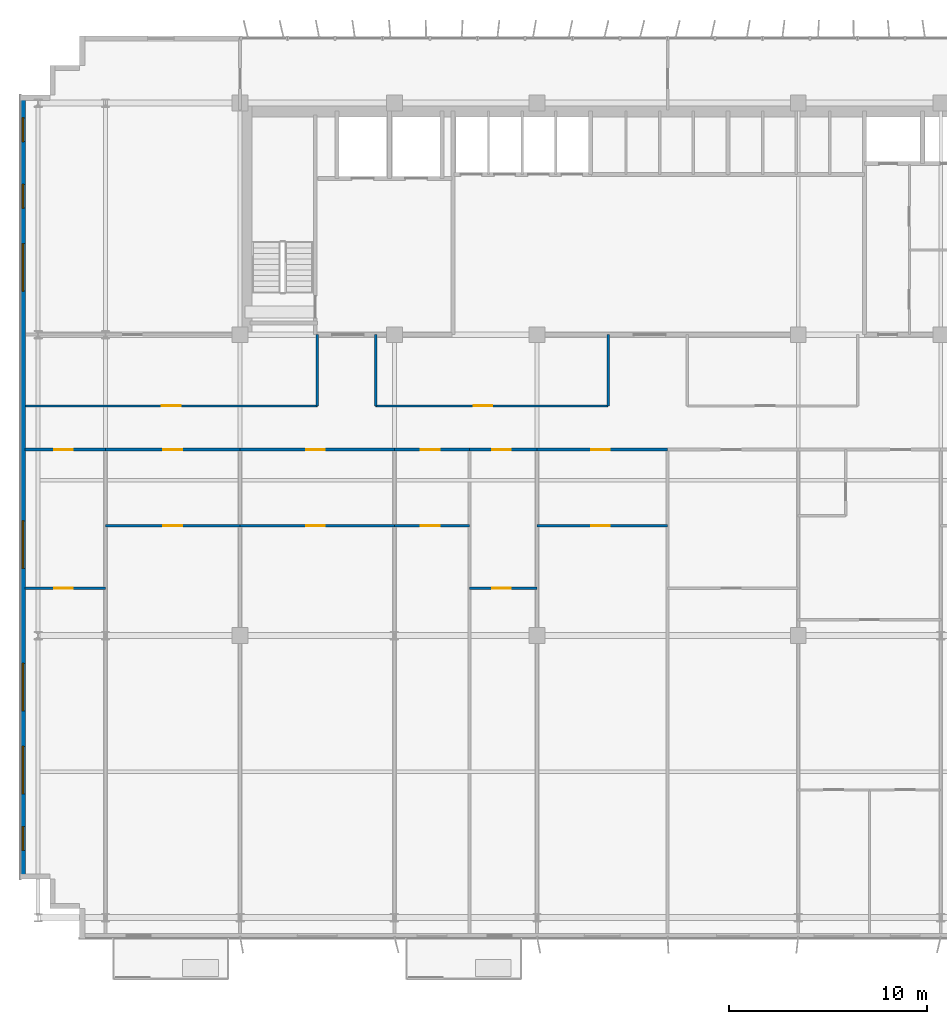
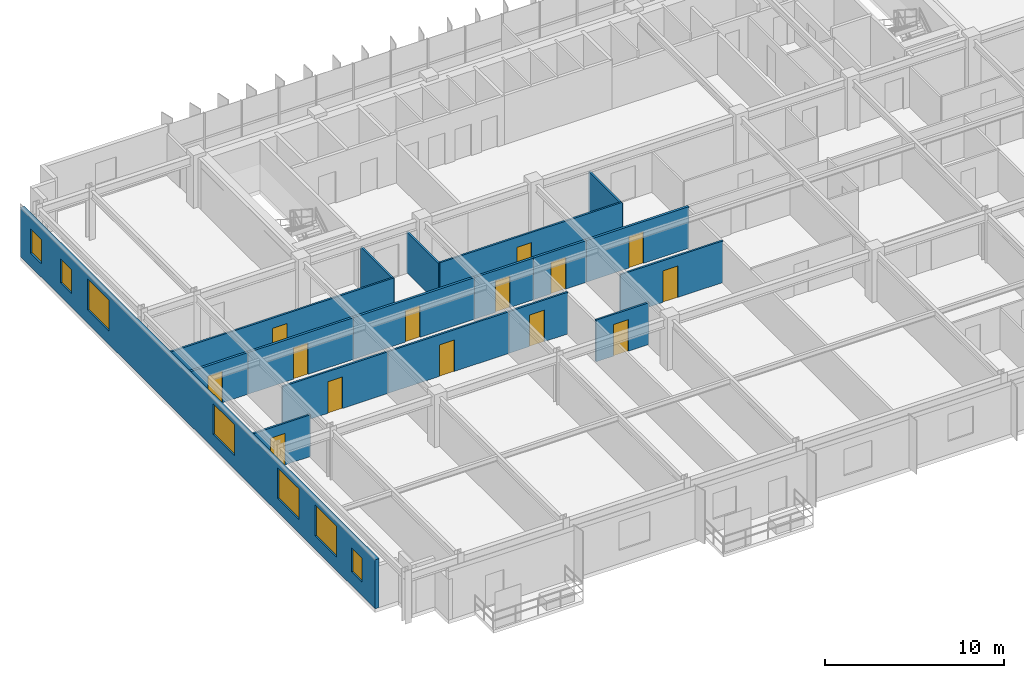
# One storey, part 14 of 21: 18 walls, 14 doors, 7 windows, 21 openings.
"""IFC4 building model written with IfcOpenShell, lengths in metres."""

import ifcopenshell
import ifcopenshell.guid

model = None  # the IFC model being written
_history = None  # IfcOwnerHistory: only IFC2X3 demands one
_inside = {}  # id of a spatial element -> (the spatial element, [elements in it])
_under = {}  # id of a project, library or spatial element -> (it, [spatial elements below it])
_declared = {}  # id of a project -> (the project, [libraries it declares])
_typed = {}  # id of a type object -> (the type object, [elements of that type])
_made_of = {}  # id of a material, layer set ... -> (it, [elements and type objects made of it])


def new_model(schema):
    """Start an empty IFC model of exactly this schema.

    Asked for "IFC4X3", IfcOpenShell would pick the latest addendum, in which some entities
    have other attributes; the version numbers below select the first issue.
    IFC2X3 requires an IfcOwnerHistory on every rooted entity: one is made here for all.
    """
    global model, _history
    if schema == "IFC4X3":
        model = ifcopenshell.file(schema_version=(4, 3, 0, 0))
    else:
        model = ifcopenshell.file(schema=schema)
    _inside.clear()
    _under.clear()
    _declared.clear()
    _typed.clear()
    _made_of.clear()
    _history = None
    if model.schema == "IFC2X3":
        org = make("IfcOrganization", Name="unknown")
        user = make(
            "IfcPersonAndOrganization",
            ThePerson=make("IfcPerson", FamilyName="unknown"),
            TheOrganization=org,
        )
        app = make(
            "IfcApplication",
            ApplicationDeveloper=org,
            Version="unknown",
            ApplicationFullName="unknown",
            ApplicationIdentifier="unknown",
        )
        _history = make(
            "IfcOwnerHistory",
            OwningUser=user,
            OwningApplication=app,
            ChangeAction="ADDED",
            CreationDate=0,
        )
    return model


def make(cls, **values):
    """One entity of the class cls with the attributes given. An attribute that is None is left unset."""
    return model.create_entity(
        cls, **{name: value for name, value in values.items() if value is not None}
    )


def rooted(cls, **values):
    """An entity with a GlobalId (a new one), such as an element, a storey or a relation."""
    return make(cls, GlobalId=ifcopenshell.guid.new(), OwnerHistory=_history, **values)


def si_unit(unit_type, name, prefix=None):
    """IfcSIUnit, for example si_unit("LENGTHUNIT", "METRE", prefix="MILLI")."""
    return make("IfcSIUnit", UnitType=unit_type, Prefix=prefix, Name=name)


def assignment(units):
    """IfcUnitAssignment: the units of a project."""
    return None if units is None else make("IfcUnitAssignment", Units=units)


def point(xyz):
    """IfcCartesianPoint."""
    return None if xyz is None else make("IfcCartesianPoint", Coordinates=xyz)


def direction(xyz):
    """IfcDirection."""
    return None if xyz is None else make("IfcDirection", DirectionRatios=xyz)


def frame(location, z_axis=None, x_axis=None):
    """IfcAxis2Placement3D, a coordinate frame: its origin and axes. An axis left out is left unset."""
    return make(
        "IfcAxis2Placement3D",
        Location=point(location),
        Axis=direction(z_axis),
        RefDirection=direction(x_axis),
    )


def frame_2d(location, x_axis=None):
    """IfcAxis2Placement2D, a coordinate frame in the plane: its origin and x axis."""
    return make(
        "IfcAxis2Placement2D", Location=point(location), RefDirection=direction(x_axis)
    )


def origin():
    """The frame at (0, 0, 0) with its axes left unset."""
    return frame((0.0, 0.0, 0.0))


def place(relative_to, where):
    """IfcLocalPlacement: puts the frame where relative to a parent placement (None: the world)."""
    return make(
        "IfcLocalPlacement", PlacementRelTo=relative_to, RelativePlacement=where
    )


def context(
    kind, dimensions, precision=None, world=None, true_north=None, identifier=None
):
    """IfcGeometricRepresentationContext, for example the 3D "Model" context."""
    return make(
        "IfcGeometricRepresentationContext",
        ContextIdentifier=identifier,
        ContextType=kind,
        CoordinateSpaceDimension=dimensions,
        Precision=precision,
        WorldCoordinateSystem=world,
        TrueNorth=true_north,
    )


def subcontext(parent, identifier, kind, view, scale=None):
    """IfcGeometricRepresentationSubContext, for example "Body" below "Model"."""
    return make(
        "IfcGeometricRepresentationSubContext",
        ContextIdentifier=identifier,
        ContextType=kind,
        ParentContext=parent,
        TargetScale=scale,
        TargetView=view,
    )


def project(units=None, contexts=None):
    """IfcProject with its units and contexts."""
    return rooted(
        "IfcProject",
        Name="project",
        RepresentationContexts=contexts,
        UnitsInContext=assignment(units),
    )


def spatial(cls, under=None, at=None, **own):
    """A site, building, storey or space (cls), placed at a placement, below another one or the project."""
    s = rooted(cls, ObjectPlacement=at, **own)
    if under is not None:
        _under.setdefault(under.id(), (under, []))[1].append(s)
    return s


def profile(cls, at=None, kind="AREA", **sizes):
    """A parametric profile (cls). Its sizes go by their IFC names, for example OverallWidth=200.0."""
    return make(cls, ProfileType=kind, Position=at, **sizes)


def rectangle(**sizes):
    """IfcRectangleProfileDef."""
    return profile("IfcRectangleProfileDef", **sizes)


def extrude(swept, where, along, depth):
    """IfcExtrudedAreaSolid: the profile swept, set in the frame where, extruded along a direction by depth."""
    return make(
        "IfcExtrudedAreaSolid",
        SweptArea=swept,
        Position=where,
        ExtrudedDirection=direction(along),
        Depth=depth,
    )


def shape(context_of_items, identifier, shape_type, items):
    """IfcShapeRepresentation: the items that make up one representation, for example the "Body"."""
    return make(
        "IfcShapeRepresentation",
        ContextOfItems=context_of_items,
        RepresentationIdentifier=identifier,
        RepresentationType=shape_type,
        Items=items,
    )


def source(mapping_origin, context_of_items, identifier, shape_type, items):
    """IfcRepresentationMap: a shape defined once, which mapped items show again and again."""
    return make(
        "IfcRepresentationMap",
        MappingOrigin=mapping_origin,
        MappedRepresentation=shape(context_of_items, identifier, shape_type, items),
    )


def transform(
    local_origin,
    x_axis=None,
    y_axis=None,
    z_axis=None,
    scale=None,
    scale2=None,
    scale3=None,
    uniform=True,
):
    """IfcCartesianTransformationOperator3D, or its non-uniform kind. x_axis, y_axis, z_axis: its Axis1, 2, 3."""
    if uniform:
        return make(
            "IfcCartesianTransformationOperator3D",
            Axis1=direction(x_axis),
            Axis2=direction(y_axis),
            LocalOrigin=point(local_origin),
            Scale=scale,
            Axis3=direction(z_axis),
        )
    return make(
        "IfcCartesianTransformationOperator3DnonUniform",
        Axis1=direction(x_axis),
        Axis2=direction(y_axis),
        LocalOrigin=point(local_origin),
        Scale=scale,
        Axis3=direction(z_axis),
        Scale2=scale2,
        Scale3=scale3,
    )


def mapped(mapping_source, mapping_target):
    """IfcMappedItem: shows the shape of a source again, moved by a transform."""
    return make(
        "IfcMappedItem", MappingSource=mapping_source, MappingTarget=mapping_target
    )


def material(Name=None, Category=None):
    """IfcMaterial."""
    return make("IfcMaterial", Name=Name, Category=Category)


def layer(
    of_material, thickness, ventilated=None, Name=None, Category=None, Priority=None
):
    """IfcMaterialLayer: one layer of a wall or slab, of a material (None: an air gap)."""
    return make(
        "IfcMaterialLayer",
        Material=of_material,
        LayerThickness=thickness,
        IsVentilated=ventilated,
        Name=Name,
        Category=Category,
        Priority=Priority,
    )


def layer_set(layers, Name=None):
    """IfcMaterialLayerSet."""
    return make("IfcMaterialLayerSet", MaterialLayers=layers, LayerSetName=Name)


def made_of(thing, what):
    """Note that an element or type object is made of a material, layer set ...; save() writes the relation."""
    if what is not None:
        _made_of.setdefault(what.id(), (what, []))[1].append(thing)
    return thing


def type_object(cls, material=None, **own):
    """A type object (cls), such as IfcWallType, which elements share."""
    return made_of(rooted(cls, **own), material)


def element(
    cls,
    number,
    at=None,
    inside=None,
    cuts=None,
    type_object=None,
    material=None,
    context=None,
    identifier="Body",
    shape_type=None,
    held_by="IfcProductDefinitionShape",
    body=None,
    shapes=None,
    **own,
):
    """One element of the class cls, such as IfcWall. Its Tag is "e" and its number.

    at: its placement. inside: the storey or other place that contains it. cuts: it is an
    opening in that element (IfcRelVoidsElement). A single representation is given by context,
    identifier, shape_type and body (its items); several are given by shapes. held_by: the class
    of the entity that holds the representations. save() writes the other relations.
    """
    e = rooted(cls, Tag="e%d" % number, ObjectPlacement=at, **own)
    if body is not None:
        shapes = [shape(context, identifier, shape_type, body)]
    if shapes is not None:
        e.Representation = make(held_by, Representations=shapes)
    if inside is not None:
        _inside.setdefault(inside.id(), (inside, []))[1].append(e)
    if cuts is not None:
        rooted(
            "IfcRelVoidsElement", RelatingBuildingElement=cuts, RelatedOpeningElement=e
        )
    if type_object is not None:
        _typed.setdefault(type_object.id(), (type_object, []))[1].append(e)
    return made_of(e, material)


def fill(opening, filler):
    """IfcRelFillsElement: the door or window that sits in an opening."""
    return rooted(
        "IfcRelFillsElement",
        RelatingOpeningElement=opening,
        RelatedBuildingElement=filler,
    )


def aggregate(whole, parts):
    """IfcRelAggregates: a whole, such as a stair, and the parts it consists of."""
    return rooted("IfcRelAggregates", RelatingObject=whole, RelatedObjects=parts)


def save(model, path):
    """Write the relations noted so far, then the file.

    IfcRelAggregates (storeys below a building ...), IfcRelContainedInSpatialStructure (elements
    in a storey), IfcRelDefinesByType, IfcRelAssociatesMaterial and IfcRelDeclares: one each for
    every whole, place, type object, material and project.
    """
    for whole, parts in _under.values():
        aggregate(whole, parts)
    for where, things in _inside.values():
        rooted(
            "IfcRelContainedInSpatialStructure",
            RelatedElements=things,
            RelatingStructure=where,
        )
    for kind, things in _typed.values():
        rooted("IfcRelDefinesByType", RelatedObjects=things, RelatingType=kind)
    for what, things in _made_of.values():
        rooted("IfcRelAssociatesMaterial", RelatedObjects=things, RelatingMaterial=what)
    for by, libraries in _declared.values():
        rooted("IfcRelDeclares", RelatingContext=by, RelatedDefinitions=libraries)
    model.write(path)


model = new_model("IFC4")

# Units and contexts
model_context = context("Model", 3, precision=1e-05, world=origin(), true_north=direction((0.0, 1.0)))
body_context = subcontext(model_context, "Body", "Model", "MODEL_VIEW")
ifc_project = project(units=[si_unit("LENGTHUNIT", "METRE"), si_unit("AREAUNIT", "SQUARE_METRE"), si_unit("VOLUMEUNIT", "CUBIC_METRE"), si_unit("PLANEANGLEUNIT", "RADIAN"), si_unit("MASSUNIT", "GRAM", prefix="KILO")], contexts=[model_context])

# Site, building, storey
site_placement = place(None, origin())
site = spatial("IfcSite", under=ifc_project, at=site_placement, CompositionType="ELEMENT")
building_placement = place(site_placement, origin())
building = spatial("IfcBuilding", under=site, at=building_placement, Name="Trelvane Seafront Commons", CompositionType="ELEMENT")
storey_placement = place(building_placement, frame((0.0, 0.0, 106.89990234375)))
storey = spatial("IfcBuildingStorey", under=building, at=storey_placement, Name="L27", CompositionType="ELEMENT", Elevation=106.89990234375)

# Wall, openings, windows
ifc_material_1 = material(Name="Precast concrete C40/50", Category="concrete")
ifc_layer_1 = layer(ifc_material_1, 0.260009765625, Name="ARCH-WALL-EXT260")
ifc_layer_set_1 = layer_set([ifc_layer_1], Name="Precast concrete C40/50")
wall_type_1 = type_object("IfcWallType", Name="ARCH-WALL-EXT260", PredefinedType="SOLIDWALL", material=ifc_layer_set_1)
wall_1_placement = place(storey_placement, frame((4.6298828125, 5.89990234375, 0.0), z_axis=(0.0, 0.0, 1.0), x_axis=(0.0, 1.0, 0.0)))
wall_1 = element("IfcWall", 1, at=wall_1_placement, inside=storey, type_object=wall_type_1, Name="EW-L27-00501", PredefinedType="SOLIDWALL", context=body_context, shape_type="SweptSolid", body=[
    extrude(rectangle(XDim=39.60009765625, YDim=0.260009765625, at=frame_2d((19.800048828125, 0.0))), origin(), (0.0, 0.0, 1.0), 3.340087890625),
])
opening_1_placement = place(wall_1_placement, frame((1.449951171875, 0.0, 0.919921875)))
opening_1 = element("IfcOpeningElement", 2, at=opening_1_placement, cuts=wall_1, Name="Opening W05", PredefinedType="OPENING", context=body_context, shape_type="SweptSolid", body=[
    extrude(rectangle(XDim=1.199951171875, YDim=1.64990234375, at=frame_2d((0.60009765625, 0.824951171875))), frame((0.0, 0.139892578125, 0.0), z_axis=(0.0, -1.0, 0.0), x_axis=(1.0, 0.0, 0.0)), (0.0, 0.0, 1.0), 0.280029296875),
])
opening_2_placement = place(wall_1_placement, frame((4.300048828125, 0.0, 0.919921875)))
opening_2 = element("IfcOpeningElement", 3, at=opening_2_placement, cuts=wall_1, Name="Opening W08", PredefinedType="OPENING", context=body_context, shape_type="SweptSolid", body=[
    extrude(rectangle(XDim=2.39990234375, YDim=2.10009765625, at=frame_2d((1.199951171875, 1.050048828125))), frame((0.0, 0.139892578125, 0.0), z_axis=(0.0, -1.0, 0.0), x_axis=(1.0, 0.0, 0.0)), (0.0, 0.0, 1.0), 0.280029296875),
])
opening_3_placement = place(wall_1_placement, frame((8.5, 0.0, 0.919921875)))
opening_3 = element("IfcOpeningElement", 4, at=opening_3_placement, cuts=wall_1, Name="Opening W08", PredefinedType="OPENING", context=body_context, shape_type="SweptSolid", body=[
    extrude(rectangle(XDim=2.39990234375, YDim=2.10009765625, at=frame_2d((1.199951171875, 1.050048828125))), frame((0.0, 0.139892578125, 0.0), z_axis=(0.0, -1.0, 0.0), x_axis=(1.0, 0.0, 0.0)), (0.0, 0.0, 1.0), 0.280029296875),
])
opening_4_placement = place(wall_1_placement, frame((15.699951171875, 0.0, 0.919921875)))
opening_4 = element("IfcOpeningElement", 5, at=opening_4_placement, cuts=wall_1, Name="Opening W08", PredefinedType="OPENING", context=body_context, shape_type="SweptSolid", body=[
    extrude(rectangle(XDim=2.39990234375, YDim=2.10009765625, at=frame_2d((1.199951171875, 1.050048828125))), frame((0.0, 0.139892578125, 0.0), z_axis=(0.0, -1.0, 0.0), x_axis=(1.0, 0.0, 0.0)), (0.0, 0.0, 1.0), 0.280029296875),
])
opening_5_placement = place(wall_1_placement, frame((29.699951171875, 0.0, 0.919921875)))
opening_5 = element("IfcOpeningElement", 6, at=opening_5_placement, cuts=wall_1, Name="Opening W08", PredefinedType="OPENING", context=body_context, shape_type="SweptSolid", body=[
    extrude(rectangle(XDim=2.39990234375, YDim=2.10009765625, at=frame_2d((1.199951171875, 1.050048828125))), frame((0.0, 0.139892578125, 0.0), z_axis=(0.0, -1.0, 0.0), x_axis=(1.0, 0.0, 0.0)), (0.0, 0.0, 1.0), 0.280029296875),
])
opening_6_placement = place(wall_1_placement, frame((33.89990234375, 0.0, 0.919921875)))
opening_6 = element("IfcOpeningElement", 7, at=opening_6_placement, cuts=wall_1, Name="Opening W05", PredefinedType="OPENING", context=body_context, shape_type="SweptSolid", body=[
    extrude(rectangle(XDim=1.199951171875, YDim=1.64990234375, at=frame_2d((0.60009765625, 0.824951171875))), frame((0.0, 0.139892578125, 0.0), z_axis=(0.0, -1.0, 0.0), x_axis=(1.0, 0.0, 0.0)), (0.0, 0.0, 1.0), 0.280029296875),
])
opening_7_placement = place(wall_1_placement, frame((37.25, 0.0, 0.919921875)))
opening_7 = element("IfcOpeningElement", 8, at=opening_7_placement, cuts=wall_1, Name="Opening W05", PredefinedType="OPENING", context=body_context, shape_type="SweptSolid", body=[
    extrude(rectangle(XDim=1.199951171875, YDim=1.64990234375, at=frame_2d((0.60009765625, 0.824951171875))), frame((0.0, 0.139892578125, 0.0), z_axis=(0.0, -1.0, 0.0), x_axis=(1.0, 0.0, 0.0)), (0.0, 0.0, 1.0), 0.280029296875),
])
ifc_material_2 = material(Name="Low-E coastal double glazing", Category="glass")
window_type_1 = type_object("IfcWindowType", Name="ARCH-WIN-W08", PartitioningType="SINGLE_PANEL", PredefinedType="WINDOW", material=ifc_material_2)
shared_shape_1 = source(origin(), body_context, "Body", "SweptSolid", [
    extrude(rectangle(XDim=2.39990234375, YDim=2.10009765625, at=frame_2d((1.199951171875, 1.050048828125))), frame((0.0, 0.030029296875, 0.0), z_axis=(0.0, -1.0, 0.0), x_axis=(1.0, 0.0, 0.0)), (0.0, 0.0, 1.0), 0.06005859375),
])
window_1_placement = place(opening_2_placement, origin())
window_1 = element("IfcWindow", 9, at=window_1_placement, inside=storey, type_object=window_type_1, Name="WIN-L27-EW-00588", OverallHeight=2.10009765625, OverallWidth=2.39990234375, PartitioningType="SINGLE_PANEL", PredefinedType="WINDOW", context=body_context, shape_type="MappedRepresentation", body=[
    mapped(shared_shape_1, transform((0.0, 0.0, 0.0), x_axis=(1.0, 0.0, 0.0), y_axis=(0.0, 1.0, 0.0), z_axis=(0.0, 0.0, 1.0), scale=1.0)),
])
fill(opening_2, window_1)
window_2_placement = place(opening_3_placement, origin())
window_2 = element("IfcWindow", 10, at=window_2_placement, inside=storey, type_object=window_type_1, Name="WIN-L27-EW-00589", OverallHeight=2.10009765625, OverallWidth=2.39990234375, PartitioningType="SINGLE_PANEL", PredefinedType="WINDOW", context=body_context, shape_type="MappedRepresentation", body=[
    mapped(shared_shape_1, transform((0.0, 0.0, 0.0), x_axis=(1.0, 0.0, 0.0), y_axis=(0.0, 1.0, 0.0), z_axis=(0.0, 0.0, 1.0), scale=1.0)),
])
fill(opening_3, window_2)
window_3_placement = place(opening_4_placement, origin())
window_3 = element("IfcWindow", 11, at=window_3_placement, inside=storey, type_object=window_type_1, Name="WIN-L27-EW-00590", OverallHeight=2.10009765625, OverallWidth=2.39990234375, PartitioningType="SINGLE_PANEL", PredefinedType="WINDOW", context=body_context, shape_type="MappedRepresentation", body=[
    mapped(shared_shape_1, transform((0.0, 0.0, 0.0), x_axis=(1.0, 0.0, 0.0), y_axis=(0.0, 1.0, 0.0), z_axis=(0.0, 0.0, 1.0), scale=1.0)),
])
fill(opening_4, window_3)
window_4_placement = place(opening_5_placement, origin())
window_4 = element("IfcWindow", 12, at=window_4_placement, inside=storey, type_object=window_type_1, Name="WIN-L27-EW-00591", OverallHeight=2.10009765625, OverallWidth=2.39990234375, PartitioningType="SINGLE_PANEL", PredefinedType="WINDOW", context=body_context, shape_type="MappedRepresentation", body=[
    mapped(shared_shape_1, transform((0.0, 0.0, 0.0), x_axis=(1.0, 0.0, 0.0), y_axis=(0.0, 1.0, 0.0), z_axis=(0.0, 0.0, 1.0), scale=1.0)),
])
fill(opening_5, window_4)
window_type_2 = type_object("IfcWindowType", Name="ARCH-WIN-W05", PartitioningType="SINGLE_PANEL", PredefinedType="WINDOW", material=ifc_material_2)
shared_shape_2 = source(origin(), body_context, "Body", "SweptSolid", [
    extrude(rectangle(XDim=1.199951171875, YDim=1.64990234375, at=frame_2d((0.60009765625, 0.824951171875))), frame((0.0, 0.030029296875, 0.0), z_axis=(0.0, -1.0, 0.0), x_axis=(1.0, 0.0, 0.0)), (0.0, 0.0, 1.0), 0.06005859375),
])
window_5_placement = place(opening_1_placement, origin())
window_5 = element("IfcWindow", 13, at=window_5_placement, inside=storey, type_object=window_type_2, Name="WIN-L27-EW-00587", OverallHeight=1.64990234375, OverallWidth=1.199951171875, PartitioningType="SINGLE_PANEL", PredefinedType="WINDOW", context=body_context, shape_type="MappedRepresentation", body=[
    mapped(shared_shape_2, transform((0.0, 0.0, 0.0), x_axis=(1.0, 0.0, 0.0), y_axis=(0.0, 1.0, 0.0), z_axis=(0.0, 0.0, 1.0), scale=1.0)),
])
fill(opening_1, window_5)
window_6_placement = place(opening_6_placement, origin())
window_6 = element("IfcWindow", 14, at=window_6_placement, inside=storey, type_object=window_type_2, Name="WIN-L27-EW-00592", OverallHeight=1.64990234375, OverallWidth=1.199951171875, PartitioningType="SINGLE_PANEL", PredefinedType="WINDOW", context=body_context, shape_type="MappedRepresentation", body=[
    mapped(shared_shape_2, transform((0.0, 0.0, 0.0), x_axis=(1.0, 0.0, 0.0), y_axis=(0.0, 1.0, 0.0), z_axis=(0.0, 0.0, 1.0), scale=1.0)),
])
fill(opening_6, window_6)
window_7_placement = place(opening_7_placement, origin())
window_7 = element("IfcWindow", 15, at=window_7_placement, inside=storey, type_object=window_type_2, Name="WIN-L27-EW-00593", OverallHeight=1.64990234375, OverallWidth=1.199951171875, PartitioningType="SINGLE_PANEL", PredefinedType="WINDOW", context=body_context, shape_type="MappedRepresentation", body=[
    mapped(shared_shape_2, transform((0.0, 0.0, 0.0), x_axis=(1.0, 0.0, 0.0), y_axis=(0.0, 1.0, 0.0), z_axis=(0.0, 0.0, 1.0), scale=1.0)),
])
fill(opening_7, window_7)

# Wall, opening, door
ifc_material_3 = material(Name="Gypsum Drywall Acoustic Partition")
ifc_layer_2 = layer(ifc_material_3, 0.1201171875, Name="ARCH-WALL-PART120")
ifc_layer_set_2 = layer_set([ifc_layer_2], Name="Gypsum Drywall Acoustic Partition")
wall_type_2 = type_object("IfcWallType", Name="ARCH-WALL-PART120", PredefinedType="PARTITIONING", material=ifc_layer_set_2)
wall_2_placement = place(storey_placement, frame((4.75, 29.800048828125, 0.0), z_axis=(0.0, 0.0, 1.0), x_axis=(1.0, 0.0, 0.0)))
wall_2 = element("IfcWall", 16, at=wall_2_placement, inside=storey, type_object=wall_type_2, Name="W-L27-CORR-N-W-038", PredefinedType="PARTITIONING", context=body_context, shape_type="SweptSolid", body=[
    extrude(rectangle(XDim=14.75, YDim=0.1201171875, at=frame_2d((7.375, 0.0))), origin(), (0.0, 0.0, 1.0), 2.840087890625),
])
opening_8_placement = place(wall_2_placement, frame((6.89990234375, 0.0, 0.0)))
opening_8 = element("IfcOpeningElement", 17, at=opening_8_placement, cuts=wall_2, Name="Opening D-L27-18", PredefinedType="OPENING", context=body_context, shape_type="SweptSolid", body=[
    extrude(rectangle(XDim=0.949951171875, YDim=2.14990234375, at=frame_2d((0.47509765625, 1.074951171875))), frame((0.0, 0.070068359375, 0.0), z_axis=(0.0, -1.0, 0.0), x_axis=(1.0, 0.0, 0.0)), (0.0, 0.0, 1.0), 0.14013671875),
])
ifc_material_4 = material(Name="Acoustic timber door leaf", Category="wood")
door_type_1 = type_object("IfcDoorType", Name="ARCH-DR-INT950", OperationType="NOTDEFINED", PredefinedType="DOOR", material=ifc_material_4)
shared_shape_3 = source(origin(), body_context, "Body", "SweptSolid", [
    extrude(rectangle(XDim=0.949951171875, YDim=2.14990234375, at=frame_2d((0.47509765625, 1.074951171875))), frame((0.0, 0.02490234375, 0.0), z_axis=(0.0, -1.0, 0.0), x_axis=(1.0, 0.0, 0.0)), (0.0, 0.0, 1.0), 0.050048828125),
])
door_1_placement = place(opening_8_placement, origin())
door_1 = element("IfcDoor", 18, at=door_1_placement, inside=storey, type_object=door_type_1, Name="L27 Door 18", OperationType="SINGLE_SWING_RIGHT", OverallHeight=2.14990234375, OverallWidth=0.949951171875, PredefinedType="DOOR", context=body_context, shape_type="MappedRepresentation", body=[
    mapped(shared_shape_3, transform((0.0, 0.0, 0.0), x_axis=(1.0, 0.0, 0.0), y_axis=(0.0, 1.0, 0.0), z_axis=(0.0, 0.0, 1.0), scale=1.0)),
])
fill(opening_8, door_1)

wall_3_placement = place(storey_placement, frame((22.449951171875, 29.800048828125, 0.0), z_axis=(0.0, 0.0, 1.0), x_axis=(1.0, 0.0, 0.0)))
wall_3 = element("IfcWall", 19, at=wall_3_placement, inside=storey, type_object=wall_type_2, Name="W-L27-CORR-N-M1-039", PredefinedType="PARTITIONING", context=body_context, shape_type="SweptSolid", body=[
    extrude(rectangle(XDim=11.75, YDim=0.1201171875, at=frame_2d((5.875, 0.0))), origin(), (0.0, 0.0, 1.0), 2.840087890625),
])
opening_9_placement = place(wall_3_placement, frame((4.944091796875, 0.0, 0.0)))
opening_9 = element("IfcOpeningElement", 20, at=opening_9_placement, cuts=wall_3, Name="Opening D-L27-19", PredefinedType="OPENING", context=body_context, shape_type="SweptSolid", body=[
    extrude(rectangle(XDim=0.949951171875, YDim=2.14990234375, at=frame_2d((0.47509765625, 1.074951171875))), frame((0.0, 0.070068359375, 0.0), z_axis=(0.0, -1.0, 0.0), x_axis=(1.0, 0.0, 0.0)), (0.0, 0.0, 1.0), 0.14013671875),
])
door_2_placement = place(opening_9_placement, origin())
door_2 = element("IfcDoor", 21, at=door_2_placement, inside=storey, type_object=door_type_1, Name="L27 Door 19", OperationType="SINGLE_SWING_LEFT", OverallHeight=2.14990234375, OverallWidth=0.949951171875, PredefinedType="DOOR", context=body_context, shape_type="MappedRepresentation", body=[
    mapped(shared_shape_3, transform((0.0, 0.0, 0.0), x_axis=(1.0, 0.0, 0.0), y_axis=(0.0, 1.0, 0.0), z_axis=(0.0, 0.0, 1.0), scale=1.0)),
])
fill(opening_9, door_2)

# Walls
for number, where, z_axis, x_axis, name in (
    (22, (19.5, 29.800048828125, 0.0), (0.0, 0.0, 1.0), (0.0, 1.0, 0.0), "W-L27-N-SPUR-W1-043"),
    (23, (22.449951171875, 29.800048828125, 0.0), (0.0, 0.0, 1.0), (0.0, 1.0, 0.0), "W-L27-N-SPUR-W2-044"),
    (24, (34.199951171875, 29.800048828125, 0.0), (0.0, 0.0, 1.0), (0.0, 1.0, 0.0), "W-L27-N-SPUR-M1-045"),
):
    element("IfcWall", number, at=place(storey_placement, frame(where, z_axis=z_axis, x_axis=x_axis)), inside=storey, type_object=wall_type_2, Name=name, PredefinedType="PARTITIONING", context=body_context, shape_type="SweptSolid", body=[
        extrude(rectangle(XDim=3.599853515625, YDim=0.1201171875, at=frame_2d((1.7998046875, 0.0))), origin(), (0.0, 0.0, 1.0), 2.752197265625),
    ])

# Wall, opening, door
wall_4_placement = place(storey_placement, frame((4.7451171875, 20.60009765625, 0.0), z_axis=(0.0, 0.0, 1.0), x_axis=(1.0, 0.0, 0.0)))
wall_4 = element("IfcWall", 25, at=wall_4_placement, inside=storey, type_object=wall_type_2, Name="W-L27-U1-DIV-066", PredefinedType="PARTITIONING", context=body_context, shape_type="SweptSolid", body=[
    extrude(rectangle(XDim=4.054931640625, YDim=0.1201171875, at=frame_2d((2.02734375, 0.0))), origin(), (0.0, 0.0, 1.0), 2.840087890625),
])
opening_10_placement = place(wall_4_placement, frame((1.4619140625, 0.0, 0.0)))
opening_10 = element("IfcOpeningElement", 26, at=opening_10_placement, cuts=wall_4, Name="Opening D-L27-29", PredefinedType="OPENING", context=body_context, shape_type="SweptSolid", body=[
    extrude(rectangle(XDim=0.949951171875, YDim=2.14990234375, at=frame_2d((0.47509765625, 1.074951171875))), frame((0.0, 0.070068359375, 0.0), z_axis=(0.0, -1.0, 0.0), x_axis=(1.0, 0.0, 0.0)), (0.0, 0.0, 1.0), 0.14013671875),
])
door_3_placement = place(opening_10_placement, origin())
door_3 = element("IfcDoor", 27, at=door_3_placement, inside=storey, type_object=door_type_1, Name="L27 Door 29", OperationType="SINGLE_SWING_LEFT", OverallHeight=2.14990234375, OverallWidth=0.949951171875, PredefinedType="DOOR", context=body_context, shape_type="MappedRepresentation", body=[
    mapped(shared_shape_3, transform((0.0, 0.0, 0.0), x_axis=(1.0, 0.0, 0.0), y_axis=(0.0, 1.0, 0.0), z_axis=(0.0, 0.0, 1.0), scale=1.0)),
])
fill(opening_10, door_3)

wall_5_placement = place(storey_placement, frame((8.800048828125, 23.75, 0.0), z_axis=(0.0, 0.0, 1.0), x_axis=(1.0, 0.0, 0.0)))
wall_5 = element("IfcWall", 28, at=wall_5_placement, inside=storey, type_object=wall_type_2, Name="W-L27-U2-DIV-068", PredefinedType="PARTITIONING", context=body_context, shape_type="SweptSolid", body=[
    extrude(rectangle(XDim=6.800048828125, YDim=0.1201171875, at=frame_2d((3.39990234375, 0.0))), origin(), (0.0, 0.0, 1.0), 2.840087890625),
])
opening_11_placement = place(wall_5_placement, frame((2.925048828125, 0.0, 0.0)))
opening_11 = element("IfcOpeningElement", 29, at=opening_11_placement, cuts=wall_5, Name="Opening D-L27-31", PredefinedType="OPENING", context=body_context, shape_type="SweptSolid", body=[
    extrude(rectangle(XDim=0.949951171875, YDim=2.14990234375, at=frame_2d((0.47509765625, 1.074951171875))), frame((0.0, 0.070068359375, 0.0), z_axis=(0.0, -1.0, 0.0), x_axis=(1.0, 0.0, 0.0)), (0.0, 0.0, 1.0), 0.14013671875),
])
door_4_placement = place(opening_11_placement, origin())
door_4 = element("IfcDoor", 30, at=door_4_placement, inside=storey, type_object=door_type_1, Name="L27 Door 31", OperationType="SINGLE_SWING_LEFT", OverallHeight=2.14990234375, OverallWidth=0.949951171875, PredefinedType="DOOR", context=body_context, shape_type="MappedRepresentation", body=[
    mapped(shared_shape_3, transform((0.0, 0.0, 0.0), x_axis=(1.0, 0.0, 0.0), y_axis=(0.0, 1.0, 0.0), z_axis=(0.0, 0.0, 1.0), scale=1.0)),
])
fill(opening_11, door_4)

wall_6_placement = place(storey_placement, frame((15.60009765625, 23.75, 0.0), z_axis=(0.0, 0.0, 1.0), x_axis=(1.0, 0.0, 0.0)))
wall_6 = element("IfcWall", 31, at=wall_6_placement, inside=storey, type_object=wall_type_2, Name="W-L27-U3-DIV-070", PredefinedType="PARTITIONING", context=body_context, shape_type="SweptSolid", body=[
    extrude(rectangle(XDim=7.7998046875, YDim=0.1201171875, at=frame_2d((3.89990234375, 0.0))), origin(), (0.0, 0.0, 1.0), 2.840087890625),
])
opening_12_placement = place(wall_6_placement, frame((3.3330078125, 0.0, 0.0)))
opening_12 = element("IfcOpeningElement", 32, at=opening_12_placement, cuts=wall_6, Name="Opening D-L27-33", PredefinedType="OPENING", context=body_context, shape_type="SweptSolid", body=[
    extrude(rectangle(XDim=0.949951171875, YDim=2.14990234375, at=frame_2d((0.47509765625, 1.074951171875))), frame((0.0, 0.070068359375, 0.0), z_axis=(0.0, -1.0, 0.0), x_axis=(1.0, 0.0, 0.0)), (0.0, 0.0, 1.0), 0.14013671875),
])
door_5_placement = place(opening_12_placement, origin())
door_5 = element("IfcDoor", 33, at=door_5_placement, inside=storey, type_object=door_type_1, Name="L27 Door 33", OperationType="SINGLE_SWING_LEFT", OverallHeight=2.14990234375, OverallWidth=0.949951171875, PredefinedType="DOOR", context=body_context, shape_type="MappedRepresentation", body=[
    mapped(shared_shape_3, transform((0.0, 0.0, 0.0), x_axis=(1.0, 0.0, 0.0), y_axis=(0.0, 1.0, 0.0), z_axis=(0.0, 0.0, 1.0), scale=1.0)),
])
fill(opening_12, door_5)

wall_7_placement = place(storey_placement, frame((23.39990234375, 23.75, 0.0), z_axis=(0.0, 0.0, 1.0), x_axis=(1.0, 0.0, 0.0)))
wall_7 = element("IfcWall", 34, at=wall_7_placement, inside=storey, type_object=wall_type_2, Name="W-L27-U4-DIV-072", PredefinedType="PARTITIONING", context=body_context, shape_type="SweptSolid", body=[
    extrude(rectangle(XDim=3.800048828125, YDim=0.1201171875, at=frame_2d((1.89990234375, 0.0))), origin(), (0.0, 0.0, 1.0), 2.840087890625),
])
opening_13_placement = place(wall_7_placement, frame((1.330078125, 0.0, 0.0)))
opening_13 = element("IfcOpeningElement", 35, at=opening_13_placement, cuts=wall_7, Name="Opening D-L27-35", PredefinedType="OPENING", context=body_context, shape_type="SweptSolid", body=[
    extrude(rectangle(XDim=0.949951171875, YDim=2.14990234375, at=frame_2d((0.47509765625, 1.074951171875))), frame((0.0, 0.070068359375, 0.0), z_axis=(0.0, -1.0, 0.0), x_axis=(1.0, 0.0, 0.0)), (0.0, 0.0, 1.0), 0.14013671875),
])
door_6_placement = place(opening_13_placement, origin())
door_6 = element("IfcDoor", 36, at=door_6_placement, inside=storey, type_object=door_type_1, Name="L27 Door 35", OperationType="SINGLE_SWING_LEFT", OverallHeight=2.14990234375, OverallWidth=0.949951171875, PredefinedType="DOOR", context=body_context, shape_type="MappedRepresentation", body=[
    mapped(shared_shape_3, transform((0.0, 0.0, 0.0), x_axis=(1.0, 0.0, 0.0), y_axis=(0.0, 1.0, 0.0), z_axis=(0.0, 0.0, 1.0), scale=1.0)),
])
fill(opening_13, door_6)

wall_8_placement = place(storey_placement, frame((27.199951171875, 20.60009765625, 0.0), z_axis=(0.0, 0.0, 1.0), x_axis=(1.0, 0.0, 0.0)))
wall_8 = element("IfcWall", 37, at=wall_8_placement, inside=storey, type_object=wall_type_2, Name="W-L27-U5-DIV-074", PredefinedType="PARTITIONING", context=body_context, shape_type="SweptSolid", body=[
    extrude(rectangle(XDim=3.400146484375, YDim=0.1201171875, at=frame_2d((1.7001953125, 0.0))), origin(), (0.0, 0.0, 1.0), 2.840087890625),
])
opening_14_placement = place(wall_8_placement, frame((1.131103515625, 0.0, 0.0)))
opening_14 = element("IfcOpeningElement", 38, at=opening_14_placement, cuts=wall_8, Name="Opening D-L27-37", PredefinedType="OPENING", context=body_context, shape_type="SweptSolid", body=[
    extrude(rectangle(XDim=0.949951171875, YDim=2.14990234375, at=frame_2d((0.47509765625, 1.074951171875))), frame((0.0, 0.070068359375, 0.0), z_axis=(0.0, -1.0, 0.0), x_axis=(1.0, 0.0, 0.0)), (0.0, 0.0, 1.0), 0.14013671875),
])
door_7_placement = place(opening_14_placement, origin())
door_7 = element("IfcDoor", 39, at=door_7_placement, inside=storey, type_object=door_type_1, Name="L27 Door 37", OperationType="SINGLE_SWING_LEFT", OverallHeight=2.14990234375, OverallWidth=0.949951171875, PredefinedType="DOOR", context=body_context, shape_type="MappedRepresentation", body=[
    mapped(shared_shape_3, transform((0.0, 0.0, 0.0), x_axis=(1.0, 0.0, 0.0), y_axis=(0.0, 1.0, 0.0), z_axis=(0.0, 0.0, 1.0), scale=1.0)),
])
fill(opening_14, door_7)

wall_9_placement = place(storey_placement, frame((30.60009765625, 23.75, 0.0), z_axis=(0.0, 0.0, 1.0), x_axis=(1.0, 0.0, 0.0)))
wall_9 = element("IfcWall", 40, at=wall_9_placement, inside=storey, type_object=wall_type_2, Name="W-L27-U6-DIV-076", PredefinedType="PARTITIONING", context=body_context, shape_type="SweptSolid", body=[
    extrude(rectangle(XDim=6.599853515625, YDim=0.1201171875, at=frame_2d((3.2998046875, 0.0))), origin(), (0.0, 0.0, 1.0), 2.840087890625),
])
opening_15_placement = place(wall_9_placement, frame((2.73388671875, 0.0, 0.0)))
opening_15 = element("IfcOpeningElement", 41, at=opening_15_placement, cuts=wall_9, Name="Opening D-L27-39", PredefinedType="OPENING", context=body_context, shape_type="SweptSolid", body=[
    extrude(rectangle(XDim=0.949951171875, YDim=2.14990234375, at=frame_2d((0.47509765625, 1.074951171875))), frame((0.0, 0.070068359375, 0.0), z_axis=(0.0, -1.0, 0.0), x_axis=(1.0, 0.0, 0.0)), (0.0, 0.0, 1.0), 0.14013671875),
])
door_8_placement = place(opening_15_placement, origin())
door_8 = element("IfcDoor", 42, at=door_8_placement, inside=storey, type_object=door_type_1, Name="L27 Door 39", OperationType="SINGLE_SWING_LEFT", OverallHeight=2.14990234375, OverallWidth=0.949951171875, PredefinedType="DOOR", context=body_context, shape_type="MappedRepresentation", body=[
    mapped(shared_shape_3, transform((0.0, 0.0, 0.0), x_axis=(1.0, 0.0, 0.0), y_axis=(0.0, 1.0, 0.0), z_axis=(0.0, 0.0, 1.0), scale=1.0)),
])
fill(opening_15, door_8)

ifc_layer_3 = layer(ifc_material_3, 0.14990234375, Name="ARCH-WALL-PART150")
ifc_layer_set_3 = layer_set([ifc_layer_3], Name="Gypsum Drywall Acoustic Partition")
wall_type_3 = type_object("IfcWallType", Name="ARCH-WALL-PART150", PredefinedType="PARTITIONING", material=ifc_layer_set_3)
wall_10_placement = place(storey_placement, frame((4.7451171875, 27.60009765625, 0.0), z_axis=(0.0, 0.0, 1.0), x_axis=(1.0, 0.0, 0.0)))
wall_10 = element("IfcWall", 43, at=wall_10_placement, inside=storey, type_object=wall_type_3, Name="W-L27-CS-BAY-1-065", PredefinedType="PARTITIONING", context=body_context, shape_type="SweptSolid", body=[
    extrude(rectangle(XDim=4.054931640625, YDim=0.14990234375, at=frame_2d((2.02734375, 0.0))), origin(), (0.0, 0.0, 1.0), 2.840087890625),
])
opening_16_placement = place(wall_10_placement, frame((1.4619140625, 0.0, 0.0)))
opening_16 = element("IfcOpeningElement", 44, at=opening_16_placement, cuts=wall_10, Name="Opening FD-L27-28", PredefinedType="OPENING", context=body_context, shape_type="SweptSolid", body=[
    extrude(rectangle(XDim=0.949951171875, YDim=2.14990234375, at=frame_2d((0.47509765625, 1.074951171875))), frame((0.0, 0.0849609375, 0.0), z_axis=(0.0, -1.0, 0.0), x_axis=(1.0, 0.0, 0.0)), (0.0, 0.0, 1.0), 0.169921875),
])
ifc_material_5 = material(Name="Powder-coated aluminium frame", Category="aluminium")
door_type_2 = type_object("IfcDoorType", Name="ARCH-DR-FD60-950", OperationType="NOTDEFINED", PredefinedType="DOOR", material=ifc_material_5)
door_9_placement = place(opening_16_placement, origin())
door_9 = element("IfcDoor", 45, at=door_9_placement, inside=storey, type_object=door_type_2, Name="L27 Bay 01 Entrance Door", OperationType="SINGLE_SWING_RIGHT", OverallHeight=2.14990234375, OverallWidth=0.949951171875, PredefinedType="DOOR", context=body_context, shape_type="MappedRepresentation", body=[
    mapped(shared_shape_3, transform((0.0, 0.0, 0.0), x_axis=(1.0, 0.0, 0.0), y_axis=(0.0, 1.0, 0.0), z_axis=(0.0, 0.0, 1.0), scale=1.0)),
])
fill(opening_16, door_9)

wall_11_placement = place(storey_placement, frame((8.800048828125, 27.60009765625, 0.0), z_axis=(0.0, 0.0, 1.0), x_axis=(1.0, 0.0, 0.0)))
wall_11 = element("IfcWall", 46, at=wall_11_placement, inside=storey, type_object=wall_type_3, Name="W-L27-CS-BAY-2-067", PredefinedType="PARTITIONING", context=body_context, shape_type="SweptSolid", body=[
    extrude(rectangle(XDim=6.800048828125, YDim=0.14990234375, at=frame_2d((3.39990234375, 0.0))), origin(), (0.0, 0.0, 1.0), 2.840087890625),
])
opening_17_placement = place(wall_11_placement, frame((2.925048828125, 0.0, 0.0)))
opening_17 = element("IfcOpeningElement", 47, at=opening_17_placement, cuts=wall_11, Name="Opening FD-L27-30", PredefinedType="OPENING", context=body_context, shape_type="SweptSolid", body=[
    extrude(rectangle(XDim=0.949951171875, YDim=2.14990234375, at=frame_2d((0.47509765625, 1.074951171875))), frame((0.0, 0.0849609375, 0.0), z_axis=(0.0, -1.0, 0.0), x_axis=(1.0, 0.0, 0.0)), (0.0, 0.0, 1.0), 0.169921875),
])
door_10_placement = place(opening_17_placement, origin())
door_10 = element("IfcDoor", 48, at=door_10_placement, inside=storey, type_object=door_type_2, Name="L27 Bay 02 Entrance Door", OperationType="SINGLE_SWING_RIGHT", OverallHeight=2.14990234375, OverallWidth=0.949951171875, PredefinedType="DOOR", context=body_context, shape_type="MappedRepresentation", body=[
    mapped(shared_shape_3, transform((0.0, 0.0, 0.0), x_axis=(1.0, 0.0, 0.0), y_axis=(0.0, 1.0, 0.0), z_axis=(0.0, 0.0, 1.0), scale=1.0)),
])
fill(opening_17, door_10)

wall_12_placement = place(storey_placement, frame((15.60009765625, 27.60009765625, 0.0), z_axis=(0.0, 0.0, 1.0), x_axis=(1.0, 0.0, 0.0)))
wall_12 = element("IfcWall", 49, at=wall_12_placement, inside=storey, type_object=wall_type_3, Name="W-L27-CS-BAY-3-069", PredefinedType="PARTITIONING", context=body_context, shape_type="SweptSolid", body=[
    extrude(rectangle(XDim=7.7998046875, YDim=0.14990234375, at=frame_2d((3.89990234375, 0.0))), origin(), (0.0, 0.0, 1.0), 2.840087890625),
])
opening_18_placement = place(wall_12_placement, frame((3.3330078125, 0.0, 0.0)))
opening_18 = element("IfcOpeningElement", 50, at=opening_18_placement, cuts=wall_12, Name="Opening FD-L27-32", PredefinedType="OPENING", context=body_context, shape_type="SweptSolid", body=[
    extrude(rectangle(XDim=0.949951171875, YDim=2.14990234375, at=frame_2d((0.47509765625, 1.074951171875))), frame((0.0, 0.0849609375, 0.0), z_axis=(0.0, -1.0, 0.0), x_axis=(1.0, 0.0, 0.0)), (0.0, 0.0, 1.0), 0.169921875),
])
door_11_placement = place(opening_18_placement, origin())
door_11 = element("IfcDoor", 51, at=door_11_placement, inside=storey, type_object=door_type_2, Name="L27 Bay 03 Entrance Door", OperationType="SINGLE_SWING_RIGHT", OverallHeight=2.14990234375, OverallWidth=0.949951171875, PredefinedType="DOOR", context=body_context, shape_type="MappedRepresentation", body=[
    mapped(shared_shape_3, transform((0.0, 0.0, 0.0), x_axis=(1.0, 0.0, 0.0), y_axis=(0.0, 1.0, 0.0), z_axis=(0.0, 0.0, 1.0), scale=1.0)),
])
fill(opening_18, door_11)

wall_13_placement = place(storey_placement, frame((23.39990234375, 27.60009765625, 0.0), z_axis=(0.0, 0.0, 1.0), x_axis=(1.0, 0.0, 0.0)))
wall_13 = element("IfcWall", 52, at=wall_13_placement, inside=storey, type_object=wall_type_3, Name="W-L27-CS-BAY-4-071", PredefinedType="PARTITIONING", context=body_context, shape_type="SweptSolid", body=[
    extrude(rectangle(XDim=3.800048828125, YDim=0.14990234375, at=frame_2d((1.89990234375, 0.0))), origin(), (0.0, 0.0, 1.0), 2.840087890625),
])
opening_19_placement = place(wall_13_placement, frame((1.330078125, 0.0, 0.0)))
opening_19 = element("IfcOpeningElement", 53, at=opening_19_placement, cuts=wall_13, Name="Opening FD-L27-34", PredefinedType="OPENING", context=body_context, shape_type="SweptSolid", body=[
    extrude(rectangle(XDim=0.949951171875, YDim=2.14990234375, at=frame_2d((0.47509765625, 1.074951171875))), frame((0.0, 0.0849609375, 0.0), z_axis=(0.0, -1.0, 0.0), x_axis=(1.0, 0.0, 0.0)), (0.0, 0.0, 1.0), 0.169921875),
])
door_12_placement = place(opening_19_placement, origin())
door_12 = element("IfcDoor", 54, at=door_12_placement, inside=storey, type_object=door_type_2, Name="L27 Bay 04 Entrance Door", OperationType="SINGLE_SWING_RIGHT", OverallHeight=2.14990234375, OverallWidth=0.949951171875, PredefinedType="DOOR", context=body_context, shape_type="MappedRepresentation", body=[
    mapped(shared_shape_3, transform((0.0, 0.0, 0.0), x_axis=(1.0, 0.0, 0.0), y_axis=(0.0, 1.0, 0.0), z_axis=(0.0, 0.0, 1.0), scale=1.0)),
])
fill(opening_19, door_12)

wall_14_placement = place(storey_placement, frame((27.199951171875, 27.60009765625, 0.0), z_axis=(0.0, 0.0, 1.0), x_axis=(1.0, 0.0, 0.0)))
wall_14 = element("IfcWall", 55, at=wall_14_placement, inside=storey, type_object=wall_type_3, Name="W-L27-CS-BAY-5-073", PredefinedType="PARTITIONING", context=body_context, shape_type="SweptSolid", body=[
    extrude(rectangle(XDim=3.400146484375, YDim=0.14990234375, at=frame_2d((1.7001953125, 0.0))), origin(), (0.0, 0.0, 1.0), 2.840087890625),
])
opening_20_placement = place(wall_14_placement, frame((1.131103515625, 0.0, 0.0)))
opening_20 = element("IfcOpeningElement", 56, at=opening_20_placement, cuts=wall_14, Name="Opening FD-L27-36", PredefinedType="OPENING", context=body_context, shape_type="SweptSolid", body=[
    extrude(rectangle(XDim=0.949951171875, YDim=2.14990234375, at=frame_2d((0.47509765625, 1.074951171875))), frame((0.0, 0.0849609375, 0.0), z_axis=(0.0, -1.0, 0.0), x_axis=(1.0, 0.0, 0.0)), (0.0, 0.0, 1.0), 0.169921875),
])
door_13_placement = place(opening_20_placement, origin())
door_13 = element("IfcDoor", 57, at=door_13_placement, inside=storey, type_object=door_type_2, Name="L27 Bay 05 Entrance Door", OperationType="SINGLE_SWING_RIGHT", OverallHeight=2.14990234375, OverallWidth=0.949951171875, PredefinedType="DOOR", context=body_context, shape_type="MappedRepresentation", body=[
    mapped(shared_shape_3, transform((0.0, 0.0, 0.0), x_axis=(1.0, 0.0, 0.0), y_axis=(0.0, 1.0, 0.0), z_axis=(0.0, 0.0, 1.0), scale=1.0)),
])
fill(opening_20, door_13)

wall_15_placement = place(storey_placement, frame((30.60009765625, 27.60009765625, 0.0), z_axis=(0.0, 0.0, 1.0), x_axis=(1.0, 0.0, 0.0)))
wall_15 = element("IfcWall", 58, at=wall_15_placement, inside=storey, type_object=wall_type_3, Name="W-L27-CS-BAY-6-075", PredefinedType="PARTITIONING", context=body_context, shape_type="SweptSolid", body=[
    extrude(rectangle(XDim=6.599853515625, YDim=0.14990234375, at=frame_2d((3.2998046875, 0.0))), origin(), (0.0, 0.0, 1.0), 2.840087890625),
])
opening_21_placement = place(wall_15_placement, frame((2.73388671875, 0.0, 0.0)))
opening_21 = element("IfcOpeningElement", 59, at=opening_21_placement, cuts=wall_15, Name="Opening FD-L27-38", PredefinedType="OPENING", context=body_context, shape_type="SweptSolid", body=[
    extrude(rectangle(XDim=0.949951171875, YDim=2.14990234375, at=frame_2d((0.47509765625, 1.074951171875))), frame((0.0, 0.0849609375, 0.0), z_axis=(0.0, -1.0, 0.0), x_axis=(1.0, 0.0, 0.0)), (0.0, 0.0, 1.0), 0.169921875),
])
door_14_placement = place(opening_21_placement, origin())
door_14 = element("IfcDoor", 60, at=door_14_placement, inside=storey, type_object=door_type_2, Name="L27 Bay 06 Entrance Door", OperationType="SINGLE_SWING_RIGHT", OverallHeight=2.14990234375, OverallWidth=0.949951171875, PredefinedType="DOOR", context=body_context, shape_type="MappedRepresentation", body=[
    mapped(shared_shape_3, transform((0.0, 0.0, 0.0), x_axis=(1.0, 0.0, 0.0), y_axis=(0.0, 1.0, 0.0), z_axis=(0.0, 0.0, 1.0), scale=1.0)),
])
fill(opening_21, door_14)

save(model, "model.ifc")
